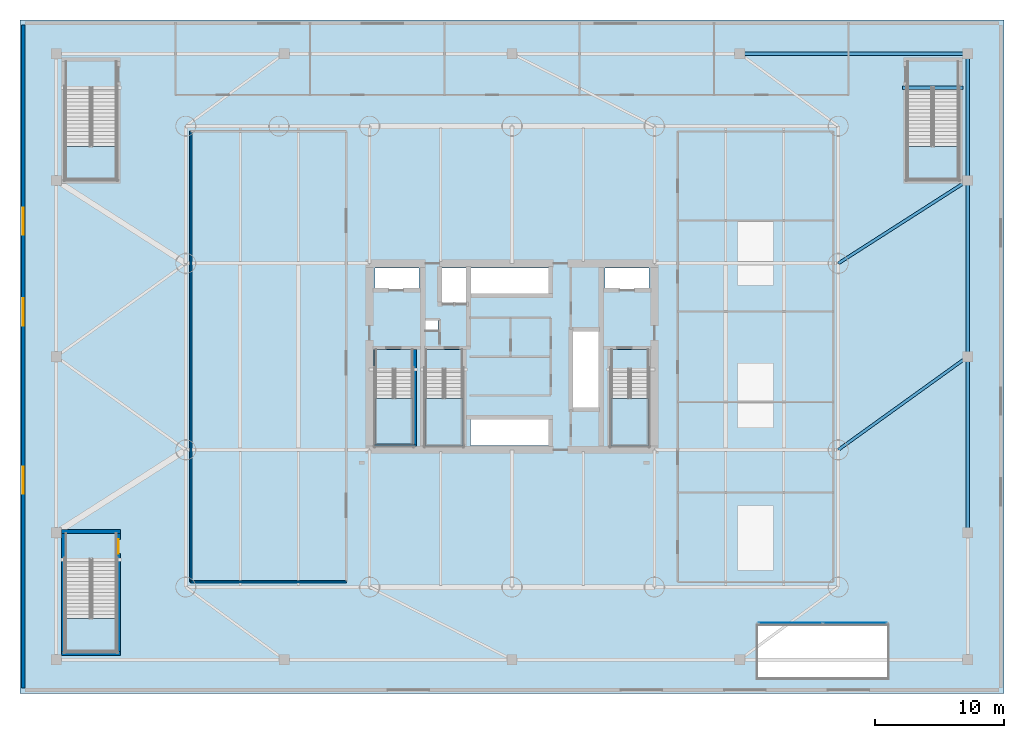
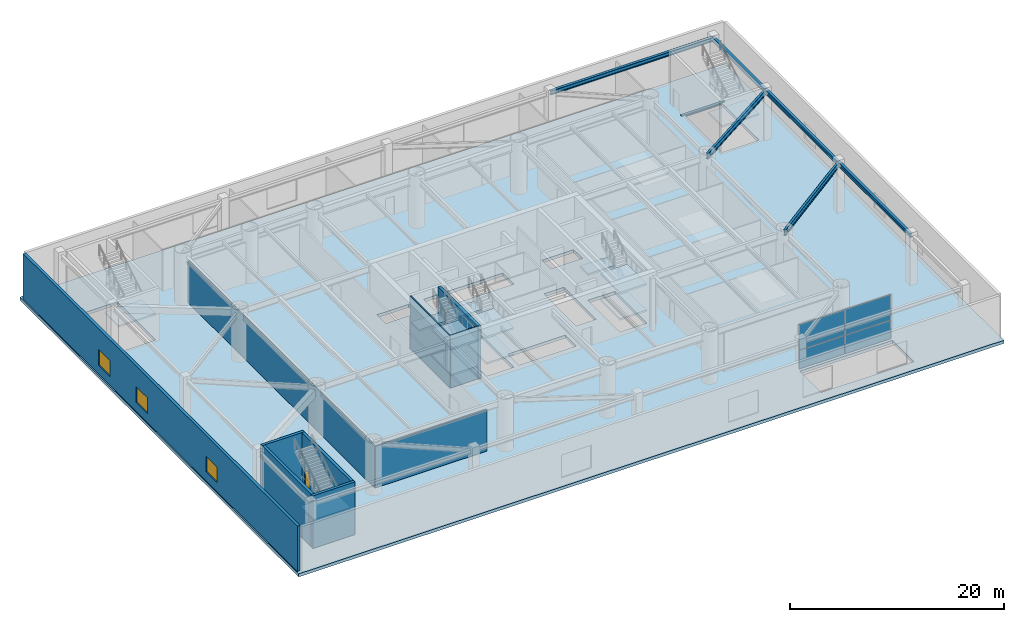
# One storey, part 5 of 17: 13 slabs, 10 walls, 7 beams, 4 plates, 3 windows, 1 door, 4 openings, 7 elements without a shape of their own.
"""IFC4 building model written with IfcOpenShell, lengths in metres."""

from ifc_helpers import new_model, si_unit, direction, frame, frame_2d, origin, origin_2d, place, context, subcontext, project, spatial, polyline, rectangle, i_section, outline, extrude, material, layer, layer_set, material_profile, profile_set, type_object, element, fill, aggregate, save


model = new_model("IFC4")

# Units and contexts
model_context = context("Model", 3, precision=1e-05, world=origin(), true_north=direction((0.0, 1.0)))
body_context = subcontext(model_context, "Body", "Model", "MODEL_VIEW")
ifc_project = project(units=[si_unit("LENGTHUNIT", "METRE"), si_unit("AREAUNIT", "SQUARE_METRE"), si_unit("VOLUMEUNIT", "CUBIC_METRE"), si_unit("PLANEANGLEUNIT", "RADIAN"), si_unit("MASSUNIT", "GRAM", prefix="KILO")], contexts=[model_context])

# Site, building, storey
site_placement = place(None, origin())
site = spatial("IfcSite", under=ifc_project, at=site_placement, CompositionType="ELEMENT")
building_placement = place(site_placement, origin())
building = spatial("IfcBuilding", under=site, at=building_placement, Name="Bramvorn Convention Spire", CompositionType="ELEMENT")
storey_placement = place(building_placement, frame((0.0, 0.0, 24.0)))
storey = spatial("IfcBuildingStorey", under=building, at=storey_placement, Name="L04", CompositionType="ELEMENT", Elevation=24.0)

# Beams
ifc_material_1 = material(Name="Steel CSA G40.21 Grade 350 (350W)", Category="steel")
ifc_material_profile_1 = material_profile(ifc_material_1, i_section(OverallWidth=0.25390625, OverallDepth=0.2529296875, WebThickness=0.008544921875, FlangeThickness=0.01416015625, FilletRadius=0.011962890625, at=origin_2d()))
ifc_profile_set_1 = profile_set([ifc_material_profile_1], Name="Steel CSA G40.21 Grade 350 (350W) - W250X73")
beam_type_1 = type_object("IfcBeamType", Name="BM-W250X73", PredefinedType="BEAM", material=ifc_profile_set_1)
beam_1_placement = place(storey_placement, frame((68.169921875, 46.760009765625, -0.12646484375), z_axis=(1.0, 0.0, 0.0), x_axis=(0.0, 1.0, 0.0)))
element("IfcBeam", 1, at=beam_1_placement, inside=storey, type_object=beam_type_1, Name="L04 ST5 stair arrival header beam", PredefinedType="BEAM", context=body_context, shape_type="SweptSolid", body=[
    extrude(i_section(OverallWidth=0.25390625, OverallDepth=0.2529296875, WebThickness=0.008544921875, FlangeThickness=0.01416015625, FilletRadius=0.011962890625, at=origin_2d()), origin(), (0.0, 0.0, 1.0), 4.68017578125),
])
ifc_material_profile_2 = material_profile(ifc_material_1, i_section(OverallWidth=0.283935546875, OverallDepth=0.47607421875, WebThickness=0.014892578125, FlangeThickness=0.02392578125, FilletRadius=0.01806640625, at=origin_2d()))
ifc_profile_set_2 = profile_set([ifc_material_profile_2], Name="Steel CSA G40.21 Grade 350 (350W) - W460X158")
beam_type_2 = type_object("IfcBeamType", Name="BM-W460X158", PredefinedType="SPANDREL", material=ifc_profile_set_2)
for number, where, z_axis, x_axis, name in (
    (2, (73.199951171875, 12.39990234375, 5.412109375), (0.0, 1.0, 0.0), (-1.0, 0.0, 0.0), "L04 podium spandrel beam 06"),
    (3, (73.199951171875, 26.0, 5.412109375), (0.0, 1.0, 0.0), (-1.0, 0.0, 0.0), "L04 podium spandrel beam 07"),
):
    element("IfcBeam", number, at=place(storey_placement, frame(where, z_axis=z_axis, x_axis=x_axis)), inside=storey, type_object=beam_type_2, Name=name, PredefinedType="SPANDREL", context=body_context, shape_type="SweptSolid", body=[
        extrude(i_section(OverallWidth=0.283935546875, OverallDepth=0.47607421875, WebThickness=0.014892578125, FlangeThickness=0.02392578125, FilletRadius=0.01806640625, at=origin_2d()), origin(), (0.0, 0.0, 1.0), 13.60009765625),
    ])
beam_2_placement = place(storey_placement, frame((73.199951171875, 39.60009765625, 5.412109375), z_axis=(0.0, 1.0, 0.0), x_axis=(-1.0, 0.0, 0.0)))
element("IfcBeam", 4, at=beam_2_placement, inside=storey, type_object=beam_type_2, Name="L04 podium spandrel beam 08", PredefinedType="SPANDREL", context=body_context, shape_type="SweptSolid", body=[
    extrude(i_section(OverallWidth=0.283935546875, OverallDepth=0.47607421875, WebThickness=0.014892578125, FlangeThickness=0.02392578125, FilletRadius=0.01806640625, at=origin_2d()), origin(), (0.0, 0.0, 1.0), 9.7998046875),
])
beam_3_placement = place(storey_placement, frame((73.199951171875, 49.39990234375, 5.412109375), z_axis=(-1.0, 0.0, 0.0), x_axis=(0.0, -1.0, 0.0)))
element("IfcBeam", 5, at=beam_3_placement, inside=storey, type_object=beam_type_2, Name="L04 podium spandrel beam 09", PredefinedType="SPANDREL", context=body_context, shape_type="SweptSolid", body=[
    extrude(i_section(OverallWidth=0.283935546875, OverallDepth=0.47607421875, WebThickness=0.014892578125, FlangeThickness=0.02392578125, FilletRadius=0.01806640625, at=origin_2d()), origin(), (0.0, 0.0, 1.0), 17.599853515625),
])
ifc_material_profile_3 = material_profile(ifc_material_1, i_section(OverallWidth=0.22998046875, OverallDepth=0.616943359375, WebThickness=0.01318359375, FlangeThickness=0.022216796875, FilletRadius=0.02001953125, at=origin_2d()))
ifc_profile_set_3 = profile_set([ifc_material_profile_3], Name="Steel CSA G40.21 Grade 350 (350W) - W610X140")
beam_type_3 = type_object("IfcBeamType", Name="BM-W610X140", PredefinedType="BEAM", material=ifc_profile_set_3)
beam_4_placement = place(storey_placement, frame((63.199951171875, 18.800048828125, 5.341552734375), z_axis=(0.811536220436, 0.584302116135, 0.0), x_axis=(-0.584302116135, 0.811536220436, 0.0)))
element("IfcBeam", 6, at=beam_4_placement, inside=storey, type_object=beam_type_3, Name="L04 podium east bay girder 1", PredefinedType="BEAM", context=body_context, shape_type="SweptSolid", body=[
    extrude(i_section(OverallWidth=0.22998046875, OverallDepth=0.616943359375, WebThickness=0.01318359375, FlangeThickness=0.022216796875, FilletRadius=0.02001953125, at=origin_2d()), origin(), (0.0, 0.0, 1.0), 12.322265625),
])
beam_5_placement = place(storey_placement, frame((63.199951171875, 33.199951171875, 5.341552734375), z_axis=(0.842265798855, 0.539062449145, 0.0), x_axis=(-0.539062449145, 0.842265798855, 0.0)))
element("IfcBeam", 7, at=beam_5_placement, inside=storey, type_object=beam_type_3, Name="L04 podium east bay girder 2", PredefinedType="BEAM", context=body_context, shape_type="SweptSolid", body=[
    extrude(i_section(OverallWidth=0.22998046875, OverallDepth=0.616943359375, WebThickness=0.01318359375, FlangeThickness=0.022216796875, FilletRadius=0.02001953125, at=origin_2d()), origin(), (0.0, 0.0, 1.0), 11.872802734375),
])

# Curtain wall, plates
ifc_material_2 = material(Name="Anodised Bronze Unitised Curtain Wall", Category="aluminium")
ifc_layer_1 = layer(ifc_material_2, 0.219970703125)
ifc_layer_set_1 = layer_set([ifc_layer_1], Name="Anodised Bronze Unitised Curtain Wall - CW-POD-LANCET")
curtain_wall_type = type_object("IfcCurtainWallType", Name="CW-POD-LANCET", PredefinedType="USERDEFINED", material=ifc_layer_set_1)
curtain_wall_placement = place(storey_placement, origin())
curtain_wall = element("IfcCurtainWall", 8, at=curtain_wall_placement, inside=storey, type_object=curtain_wall_type, Name="L04 SE colonnade lancet curtain wall", ObjectType="UNITISED CURTAIN WALL", PredefinedType="USERDEFINED")
ifc_material_3 = material(Name="Laminated Low-E Glass (Acoustic Laminated Podium Triple IGU)", Category="glass")
ifc_layer_2 = layer(ifc_material_3, 0.0458984375)
ifc_layer_set_2 = layer_set([ifc_layer_2], Name="Laminated Low-E Glass (Acoustic Laminated Podium Triple IGU) - PNL-IGU-5")
plate_type = type_object("IfcPlateType", Name="PNL-IGU-5", PredefinedType="CURTAIN_PANEL", material=ifc_layer_set_2)
plate_1_placement = place(storey_placement, frame((59.514892578125, 5.449951171875, 0.06005859375), z_axis=(0.0, 0.0, 1.0), x_axis=(1.0, 0.0, 0.0)))
plate_1 = element("IfcPlate", 9, at=plate_1_placement, type_object=plate_type, Name="CW1 panel 1.1", PredefinedType="CURTAIN_PANEL", context=body_context, shape_type="SweptSolid", body=[
    extrude(rectangle(XDim=4.909912109375, YDim=0.028076171875, at=origin_2d()), origin(), (0.0, 0.0, 1.0), 2.110107421875),
])
plate_2_placement = place(storey_placement, frame((59.514892578125, 5.449951171875, 2.22998046875), z_axis=(0.0, 0.0, 1.0), x_axis=(1.0, 0.0, 0.0)))
plate_2 = element("IfcPlate", 10, at=plate_2_placement, type_object=plate_type, Name="CW1 panel 1.2", PredefinedType="CURTAIN_PANEL", context=body_context, shape_type="SweptSolid", body=[
    extrude(rectangle(XDim=4.909912109375, YDim=0.028076171875, at=origin_2d()), origin(), (0.0, 0.0, 1.0), 2.8701171875),
])
plate_3_placement = place(storey_placement, frame((64.485107421875, 5.449951171875, 0.06005859375), z_axis=(0.0, 0.0, 1.0), x_axis=(1.0, 0.0, 0.0)))
plate_3 = element("IfcPlate", 11, at=plate_3_placement, type_object=plate_type, Name="CW1 panel 2.1", PredefinedType="CURTAIN_PANEL", context=body_context, shape_type="SweptSolid", body=[
    extrude(rectangle(XDim=4.909912109375, YDim=0.028076171875, at=origin_2d()), origin(), (0.0, 0.0, 1.0), 2.110107421875),
])
plate_4_placement = place(storey_placement, frame((64.485107421875, 5.449951171875, 2.22998046875), z_axis=(0.0, 0.0, 1.0), x_axis=(1.0, 0.0, 0.0)))
plate_4 = element("IfcPlate", 12, at=plate_4_placement, type_object=plate_type, Name="CW1 panel 2.2", PredefinedType="CURTAIN_PANEL", context=body_context, shape_type="SweptSolid", body=[
    extrude(rectangle(XDim=4.909912109375, YDim=0.028076171875, at=origin_2d()), origin(), (0.0, 0.0, 1.0), 2.8701171875),
])
aggregate(curtain_wall, [plate_1, plate_2, plate_3, plate_4])

# Slab
ifc_material_4 = material(Name="Concrete C50/60", Category="concrete")
ifc_layer_3 = layer(ifc_material_4, 0.35009765625)
ifc_layer_set_3 = layer_set([ifc_layer_3], Name="Concrete C50/60 - SLB-POD-350")
slab_type_1 = type_object("IfcSlabType", Name="SLB-POD-350", PredefinedType="FLOOR", material=ifc_layer_set_3)
slab_1_placement = place(storey_placement, frame((0.0, 0.0, -0.35009765625)))
element("IfcSlab", 13, at=slab_1_placement, inside=storey, type_object=slab_type_1, Name="L04 podium composite floor slab", PredefinedType="FLOOR", context=body_context, shape_type="SweptSolid", body=[
    extrude(outline(polyline([(0.0, 0.0), (76.0, 0.0), (76.0, 52.0), (0.0, 52.0), (0.0, 0.0)]), holes=[polyline([(27.449951171875, 25.050048828125), (27.449951171875, 19.10009765625), (30.35009765625, 19.10009765625), (30.35009765625, 25.050048828125), (27.449951171875, 25.050048828125)]), polyline([(45.64990234375, 25.050048828125), (45.64990234375, 19.10009765625), (48.550048828125, 19.10009765625), (48.550048828125, 25.050048828125), (45.64990234375, 25.050048828125)]), polyline([(31.300048828125, 25.050048828125), (31.300048828125, 19.10009765625), (34.199951171875, 19.10009765625), (34.199951171875, 25.050048828125), (31.300048828125, 25.050048828125)]), polyline([(3.5, 10.35009765625), (3.5, 3.199951171875), (7.47998046875, 3.199951171875), (7.47998046875, 10.35009765625), (3.5, 10.35009765625)]), polyline([(68.52001953125, 46.800048828125), (68.52001953125, 39.64990234375), (72.5, 39.64990234375), (72.5, 46.800048828125), (68.52001953125, 46.800048828125)]), polyline([(3.5, 46.800048828125), (3.5, 39.64990234375), (7.47998046875, 39.64990234375), (7.47998046875, 46.800048828125), (3.5, 46.800048828125)]), polyline([(27.39990234375, 31.219970703125), (30.800048828125, 31.219970703125), (30.800048828125, 32.85009765625), (27.39990234375, 32.85009765625), (27.39990234375, 31.219970703125)]), polyline([(45.199951171875, 31.219970703125), (48.60009765625, 31.219970703125), (48.60009765625, 32.85009765625), (45.199951171875, 32.85009765625), (45.199951171875, 31.219970703125)]), polyline([(32.449951171875, 30.14990234375), (34.56005859375, 30.14990234375), (34.56005859375, 32.85009765625), (32.449951171875, 32.85009765625), (32.449951171875, 30.14990234375)]), polyline([(34.800048828125, 30.800048828125), (40.97998046875, 30.800048828125), (40.97998046875, 32.85009765625), (34.800048828125, 32.85009765625), (34.800048828125, 30.800048828125)]), polyline([(34.800048828125, 19.14990234375), (40.97998046875, 19.14990234375), (40.97998046875, 21.199951171875), (34.800048828125, 21.199951171875), (34.800048828125, 19.14990234375)]), polyline([(42.6201171875, 22.0), (44.75, 22.0), (44.75, 28.0), (42.6201171875, 28.0), (42.6201171875, 22.0)]), polyline([(31.320068359375, 28.02001953125), (32.280029296875, 28.02001953125), (32.280029296875, 28.820068359375), (31.320068359375, 28.820068359375), (31.320068359375, 28.02001953125)]), polyline([(57.0, 1.199951171875), (67.0, 1.199951171875), (67.0, 5.199951171875), (57.0, 5.199951171875), (57.0, 1.199951171875)])]), origin(), (0.0, 0.0, 1.0), 0.35009765625),
])

# Stair, slabs
ifc_material_5 = material(Name="Concrete C40/50 Precast Stair", Category="concrete")
stair_type_1 = type_object("IfcStairType", Name="ST-TOWER-1550", PredefinedType="HALF_TURN_STAIR", material=ifc_material_5)
stair_1_placement = place(storey_placement, origin())
stair_1 = element("IfcStair", 14, at=stair_1_placement, inside=storey, type_object=stair_type_1, Name="L04 Protected Exit Stair ST1", PredefinedType="HALF_TURN_STAIR")
ifc_material_6 = material(Name="Concrete C40/50 Stair Landing", Category="concrete")
ifc_layer_4 = layer(ifc_material_6, 0.219970703125)
ifc_layer_set_4 = layer_set([ifc_layer_4], Name="Concrete C40/50 Stair Landing - SLB-STAIR-LANDING")
slab_type_2 = type_object("IfcSlabType", Name="SLB-STAIR-LANDING", PredefinedType="LANDING", material=ifc_layer_set_4)
slab_2_placement = place(storey_placement, frame((0.0, 0.0, 1.300048828125)))
slab_2 = element("IfcSlab", 15, at=slab_2_placement, type_object=slab_type_2, Name="ST1 landing 1", PredefinedType="LANDING", context=body_context, shape_type="SweptSolid", body=[
    extrude(outline(polyline([(27.449951171875, 22.77001953125), (27.449951171875, 19.10009765625), (30.35009765625, 19.10009765625), (30.35009765625, 22.77001953125), (27.449951171875, 22.77001953125)])), origin(), (0.0, 0.0, 1.0), 0.199951171875),
])
slab_3_placement = place(storey_placement, frame((0.0, 0.0, 2.800048828125)))
slab_3 = element("IfcSlab", 16, at=slab_3_placement, type_object=slab_type_2, Name="ST1 landing 2", PredefinedType="LANDING", context=body_context, shape_type="SweptSolid", body=[
    extrude(outline(polyline([(27.449951171875, 26.550048828125), (27.449951171875, 25.050048828125), (30.35009765625, 25.050048828125), (30.35009765625, 26.550048828125), (27.449951171875, 26.550048828125)])), origin(), (0.0, 0.0, 1.0), 0.199951171875),
])
slab_4_placement = place(storey_placement, frame((0.0, 0.0, 4.300048828125)))
slab_4 = element("IfcSlab", 17, at=slab_4_placement, type_object=slab_type_2, Name="ST1 landing 3", PredefinedType="LANDING", context=body_context, shape_type="SweptSolid", body=[
    extrude(outline(polyline([(27.449951171875, 22.77001953125), (27.449951171875, 19.10009765625), (30.35009765625, 19.10009765625), (30.35009765625, 22.77001953125), (27.449951171875, 22.77001953125)])), origin(), (0.0, 0.0, 1.0), 0.199951171875),
])
aggregate(stair_1, [slab_2, slab_3, slab_4])

stair_2_placement = place(storey_placement, origin())
stair_2 = element("IfcStair", 18, at=stair_2_placement, inside=storey, type_object=stair_type_1, Name="L04 Protected Exit Stair ST2", PredefinedType="HALF_TURN_STAIR")
slab_5_placement = place(storey_placement, frame((0.0, 0.0, 1.300048828125)))
slab_5 = element("IfcSlab", 19, at=slab_5_placement, type_object=slab_type_2, Name="ST2 landing 1", PredefinedType="LANDING", context=body_context, shape_type="SweptSolid", body=[
    extrude(outline(polyline([(45.64990234375, 22.77001953125), (45.64990234375, 19.10009765625), (48.550048828125, 19.10009765625), (48.550048828125, 22.77001953125), (45.64990234375, 22.77001953125)])), origin(), (0.0, 0.0, 1.0), 0.199951171875),
])
slab_6_placement = place(storey_placement, frame((0.0, 0.0, 2.800048828125)))
slab_6 = element("IfcSlab", 20, at=slab_6_placement, type_object=slab_type_2, Name="ST2 landing 2", PredefinedType="LANDING", context=body_context, shape_type="SweptSolid", body=[
    extrude(outline(polyline([(45.64990234375, 26.550048828125), (45.64990234375, 25.050048828125), (48.550048828125, 25.050048828125), (48.550048828125, 26.550048828125), (45.64990234375, 26.550048828125)])), origin(), (0.0, 0.0, 1.0), 0.199951171875),
])
slab_7_placement = place(storey_placement, frame((0.0, 0.0, 4.300048828125)))
slab_7 = element("IfcSlab", 21, at=slab_7_placement, type_object=slab_type_2, Name="ST2 landing 3", PredefinedType="LANDING", context=body_context, shape_type="SweptSolid", body=[
    extrude(outline(polyline([(45.64990234375, 22.77001953125), (45.64990234375, 19.10009765625), (48.550048828125, 19.10009765625), (48.550048828125, 22.77001953125), (45.64990234375, 22.77001953125)])), origin(), (0.0, 0.0, 1.0), 0.199951171875),
])
aggregate(stair_2, [slab_5, slab_6, slab_7])

stair_3_placement = place(storey_placement, origin())
stair_3 = element("IfcStair", 22, at=stair_3_placement, inside=storey, type_object=stair_type_1, Name="L04 Protected Exit Stair ST3", PredefinedType="HALF_TURN_STAIR")
slab_8_placement = place(storey_placement, frame((0.0, 0.0, 1.300048828125)))
slab_8 = element("IfcSlab", 23, at=slab_8_placement, type_object=slab_type_2, Name="ST3 landing 1", PredefinedType="LANDING", context=body_context, shape_type="SweptSolid", body=[
    extrude(outline(polyline([(31.300048828125, 22.77001953125), (31.300048828125, 19.10009765625), (34.199951171875, 19.10009765625), (34.199951171875, 22.77001953125), (31.300048828125, 22.77001953125)])), origin(), (0.0, 0.0, 1.0), 0.199951171875),
])
slab_9_placement = place(storey_placement, frame((0.0, 0.0, 2.800048828125)))
slab_9 = element("IfcSlab", 24, at=slab_9_placement, type_object=slab_type_2, Name="ST3 landing 2", PredefinedType="LANDING", context=body_context, shape_type="SweptSolid", body=[
    extrude(outline(polyline([(31.300048828125, 26.550048828125), (31.300048828125, 25.050048828125), (34.199951171875, 25.050048828125), (34.199951171875, 26.550048828125), (31.300048828125, 26.550048828125)])), origin(), (0.0, 0.0, 1.0), 0.199951171875),
])
slab_10_placement = place(storey_placement, frame((0.0, 0.0, 4.300048828125)))
slab_10 = element("IfcSlab", 25, at=slab_10_placement, type_object=slab_type_2, Name="ST3 landing 3", PredefinedType="LANDING", context=body_context, shape_type="SweptSolid", body=[
    extrude(outline(polyline([(31.300048828125, 22.77001953125), (31.300048828125, 19.10009765625), (34.199951171875, 19.10009765625), (34.199951171875, 22.77001953125), (31.300048828125, 22.77001953125)])), origin(), (0.0, 0.0, 1.0), 0.199951171875),
])
aggregate(stair_3, [slab_8, slab_9, slab_10])

# Stair, slab
ifc_material_7 = material(Name="Concrete C40/50 Grand Exit Stair", Category="concrete")
stair_type_2 = type_object("IfcStairType", Name="ST-PODIUM-1950", PredefinedType="HALF_TURN_STAIR", material=ifc_material_7)
stair_4_placement = place(storey_placement, origin())
stair_4 = element("IfcStair", 26, at=stair_4_placement, inside=storey, type_object=stair_type_2, Name="L04 Protected Exit Stair ST4", PredefinedType="HALF_TURN_STAIR")
slab_11_placement = place(storey_placement, frame((0.0, 0.0, 2.800048828125)))
slab_11 = element("IfcSlab", 27, at=slab_11_placement, type_object=slab_type_2, Name="ST4 landing 1", PredefinedType="LANDING", context=body_context, shape_type="SweptSolid", body=[
    extrude(outline(polyline([(3.5, 5.7900390625), (3.5, 3.199951171875), (7.47998046875, 3.199951171875), (7.47998046875, 5.7900390625), (3.5, 5.7900390625)])), origin(), (0.0, 0.0, 1.0), 0.199951171875),
])
aggregate(stair_4, [slab_11])

stair_5_placement = place(storey_placement, origin())
stair_5 = element("IfcStair", 28, at=stair_5_placement, inside=storey, type_object=stair_type_2, Name="L04 Protected Exit Stair ST5", PredefinedType="HALF_TURN_STAIR")
slab_12_placement = place(storey_placement, frame((0.0, 0.0, 2.800048828125)))
slab_12 = element("IfcSlab", 29, at=slab_12_placement, type_object=slab_type_2, Name="ST5 landing 1", PredefinedType="LANDING", context=body_context, shape_type="SweptSolid", body=[
    extrude(outline(polyline([(68.52001953125, 42.239990234375), (68.52001953125, 39.64990234375), (72.5, 39.64990234375), (72.5, 42.239990234375), (68.52001953125, 42.239990234375)])), origin(), (0.0, 0.0, 1.0), 0.199951171875),
])
aggregate(stair_5, [slab_12])

stair_6_placement = place(storey_placement, origin())
stair_6 = element("IfcStair", 30, at=stair_6_placement, inside=storey, type_object=stair_type_2, Name="L04 Protected Exit Stair ST6", PredefinedType="HALF_TURN_STAIR")
slab_13_placement = place(storey_placement, frame((0.0, 0.0, 2.800048828125)))
slab_13 = element("IfcSlab", 31, at=slab_13_placement, type_object=slab_type_2, Name="ST6 landing 1", PredefinedType="LANDING", context=body_context, shape_type="SweptSolid", body=[
    extrude(outline(polyline([(3.5, 42.239990234375), (3.5, 39.64990234375), (7.47998046875, 39.64990234375), (7.47998046875, 42.239990234375), (3.5, 42.239990234375)])), origin(), (0.0, 0.0, 1.0), 0.199951171875),
])
aggregate(stair_6, [slab_13])

# Wall, openings, windows
ifc_material_8 = material(Name="Precast Concrete C40/50 with Bronze Terracotta Rainscreen", Category="masonry")
ifc_layer_5 = layer(ifc_material_8, 0.300048828125)
ifc_layer_set_5 = layer_set([ifc_layer_5], Name="Precast Concrete C40/50 with Bronze Terracotta Rainscreen - WL-EXT-BRONZE-300")
wall_type_1 = type_object("IfcWallType", Name="WL-EXT-BRONZE-300", PredefinedType="SOLIDWALL", material=ifc_layer_set_5)
wall_1_placement = place(storey_placement, frame((0.25, 0.39990234375, 0.0), z_axis=(0.0, 0.0, 1.0), x_axis=(0.0, 1.0, 0.0)))
wall_1 = element("IfcWall", 32, at=wall_1_placement, inside=storey, type_object=wall_type_1, Name="L04 West podium bronze facade wall", PredefinedType="SOLIDWALL", context=body_context, shape_type="SweptSolid", body=[
    extrude(rectangle(XDim=51.2001953125, YDim=0.300048828125, at=frame_2d((25.60009765625, 0.0))), origin(), (0.0, 0.0, 1.0), 5.159912109375),
])
opening_1_placement = place(wall_1_placement, frame((15.0, 0.0, 1.0)))
opening_1 = element("IfcOpeningElement", 33, at=opening_1_placement, cuts=wall_1, Name="Opening WN04", PredefinedType="OPENING", context=body_context, shape_type="SweptSolid", body=[
    extrude(rectangle(XDim=2.10009765625, YDim=1.800048828125, at=frame_2d((1.050048828125, 0.89990234375))), frame((0.0, 0.159912109375, 0.0), z_axis=(0.0, -1.0, 0.0), x_axis=(1.0, 0.0, 0.0)), (0.0, 0.0, 1.0), 0.320068359375),
])
opening_2_placement = place(wall_1_placement, frame((28.0, 0.0, 1.0)))
opening_2 = element("IfcOpeningElement", 34, at=opening_2_placement, cuts=wall_1, Name="Opening WN04", PredefinedType="OPENING", context=body_context, shape_type="SweptSolid", body=[
    extrude(rectangle(XDim=2.10009765625, YDim=1.800048828125, at=frame_2d((1.050048828125, 0.89990234375))), frame((0.0, 0.159912109375, 0.0), z_axis=(0.0, -1.0, 0.0), x_axis=(1.0, 0.0, 0.0)), (0.0, 0.0, 1.0), 0.320068359375),
])
opening_3_placement = place(wall_1_placement, frame((35.0, 0.0, 1.0)))
opening_3 = element("IfcOpeningElement", 35, at=opening_3_placement, cuts=wall_1, Name="Opening WN04", PredefinedType="OPENING", context=body_context, shape_type="SweptSolid", body=[
    extrude(rectangle(XDim=2.10009765625, YDim=1.800048828125, at=frame_2d((1.050048828125, 0.89990234375))), frame((0.0, 0.159912109375, 0.0), z_axis=(0.0, -1.0, 0.0), x_axis=(1.0, 0.0, 0.0)), (0.0, 0.0, 1.0), 0.320068359375),
])
ifc_material_9 = material(Name="Thermally Broken Bronze Aluminium & Triple Low-E Glass", Category="aluminium")
window_type = type_object("IfcWindowType", Name="WN-OP-2100X1800", PartitioningType="SINGLE_PANEL", PredefinedType="WINDOW", material=ifc_material_9)
window_1_placement = place(opening_1_placement, origin())
window_1 = element("IfcWindow", 36, at=window_1_placement, inside=storey, type_object=window_type, Name="L04 West operable window 1", OverallHeight=1.800048828125, OverallWidth=2.10009765625, PartitioningType="SINGLE_PANEL", PredefinedType="WINDOW", context=body_context, shape_type="SweptSolid", body=[
    extrude(rectangle(XDim=2.10009765625, YDim=1.800048828125, at=frame_2d((1.050048828125, 0.89990234375))), frame((0.0, 0.030029296875, 0.0), z_axis=(0.0, -1.0, 0.0), x_axis=(1.0, 0.0, 0.0)), (0.0, 0.0, 1.0), 0.06005859375),
])
fill(opening_1, window_1)
window_2_placement = place(opening_2_placement, origin())
window_2 = element("IfcWindow", 37, at=window_2_placement, inside=storey, type_object=window_type, Name="L04 West operable window 2", OverallHeight=1.800048828125, OverallWidth=2.10009765625, PartitioningType="SINGLE_PANEL", PredefinedType="WINDOW", context=body_context, shape_type="SweptSolid", body=[
    extrude(rectangle(XDim=2.10009765625, YDim=1.800048828125, at=frame_2d((1.050048828125, 0.89990234375))), frame((0.0, 0.030029296875, 0.0), z_axis=(0.0, -1.0, 0.0), x_axis=(1.0, 0.0, 0.0)), (0.0, 0.0, 1.0), 0.06005859375),
])
fill(opening_2, window_2)
window_3_placement = place(opening_3_placement, origin())
window_3 = element("IfcWindow", 38, at=window_3_placement, inside=storey, type_object=window_type, Name="L04 West operable window 3", OverallHeight=1.800048828125, OverallWidth=2.10009765625, PartitioningType="SINGLE_PANEL", PredefinedType="WINDOW", context=body_context, shape_type="SweptSolid", body=[
    extrude(rectangle(XDim=2.10009765625, YDim=1.800048828125, at=frame_2d((1.050048828125, 0.89990234375))), frame((0.0, 0.030029296875, 0.0), z_axis=(0.0, -1.0, 0.0), x_axis=(1.0, 0.0, 0.0)), (0.0, 0.0, 1.0), 0.06005859375),
])
fill(opening_3, window_3)

# Walls
ifc_material_10 = material(Name="Acoustic Metal-Stud Tenant/Corridor Partition", Category="gypsum")
ifc_layer_6 = layer(ifc_material_10, 0.14990234375)
ifc_layer_set_6 = layer_set([ifc_layer_6], Name="Acoustic Metal-Stud Tenant/Corridor Partition - WL-PART-150")
wall_type_2 = type_object("IfcWallType", Name="WL-PART-150", PredefinedType="PARTITIONING", material=ifc_layer_set_6)
wall_2_placement = place(storey_placement, frame((13.199951171875, 8.60009765625, 0.0), z_axis=(0.0, 0.0, 1.0), x_axis=(1.0, 0.0, 0.0)))
element("IfcWall", 39, at=wall_2_placement, inside=storey, type_object=wall_type_2, Name="L04 Ballroom south wall", PredefinedType="PARTITIONING", context=body_context, shape_type="SweptSolid", body=[
    extrude(rectangle(XDim=12.0, YDim=0.14990234375, at=frame_2d((6.0, 0.0))), origin(), (0.0, 0.0, 1.0), 4.7099609375),
])
wall_3_placement = place(storey_placement, frame((13.199951171875, 8.60009765625, 0.0), z_axis=(0.0, 0.0, 1.0), x_axis=(0.0, 1.0, 0.0)))
element("IfcWall", 40, at=wall_3_placement, inside=storey, type_object=wall_type_2, Name="L04 Ballroom west wall", PredefinedType="PARTITIONING", context=body_context, shape_type="SweptSolid", body=[
    extrude(rectangle(XDim=34.7998046875, YDim=0.14990234375, at=frame_2d((17.39990234375, 0.0))), origin(), (0.0, 0.0, 1.0), 4.7099609375),
])
ifc_layer_7 = layer(ifc_material_4, 0.300048828125)
ifc_layer_set_7 = layer_set([ifc_layer_7], Name="Concrete C50/60 - WL-POD-STAIR-300")
wall_type_3 = type_object("IfcWallType", Name="WL-POD-STAIR-300", PredefinedType="SHEAR", material=ifc_layer_set_7)
wall_4_placement = place(storey_placement, frame((30.489990234375, 19.050048828125, 0.0), z_axis=(0.0, 0.0, 1.0), x_axis=(0.0, 1.0, 0.0)))
element("IfcWall", 41, at=wall_4_placement, inside=storey, type_object=wall_type_3, Name="L04 ST1 east bearing wall", PredefinedType="SHEAR", context=body_context, shape_type="SweptSolid", body=[
    extrude(rectangle(XDim=7.5, YDim=0.300048828125, at=frame_2d((3.75, 0.0))), origin(), (0.0, 0.0, 1.0), 6.0),
])
for number, where, z_axis, x_axis, name in (
    (42, (3.2099609375, 3.06005859375, 0.0), (0.0, 0.0, 1.0), (1.0, 0.0, 0.0), "L04 ST4 south shaft wall"),
    (43, (3.2099609375, 12.489990234375, 0.0), (0.0, 0.0, 1.0), (1.0, 0.0, 0.0), "L04 ST4 north shaft wall"),
):
    element("IfcWall", number, at=place(storey_placement, frame(where, z_axis=z_axis, x_axis=x_axis)), inside=storey, type_object=wall_type_3, Name=name, PredefinedType="SHEAR", context=body_context, shape_type="SweptSolid", body=[
        extrude(rectangle(XDim=4.56005859375, YDim=0.300048828125, at=frame_2d((2.280029296875, 0.0))), origin(), (0.0, 0.0, 1.0), 6.0),
    ])
wall_5_placement = place(storey_placement, frame((3.360107421875, 3.2099609375, 0.0), z_axis=(0.0, 0.0, 1.0), x_axis=(0.0, 1.0, 0.0)))
element("IfcWall", 44, at=wall_5_placement, inside=storey, type_object=wall_type_3, Name="L04 ST4 west shaft wall", PredefinedType="SHEAR", context=body_context, shape_type="SweptSolid", body=[
    extrude(rectangle(XDim=9.130126953125, YDim=0.300048828125, at=frame_2d((4.56494140625, 0.0))), origin(), (0.0, 0.0, 1.0), 6.0),
])

# Wall, opening, door
wall_6_placement = place(storey_placement, frame((7.6201171875, 12.340087890625, 0.0), z_axis=(0.0, 0.0, 1.0), x_axis=(0.0, -1.0, 0.0)))
wall_6 = element("IfcWall", 45, at=wall_6_placement, inside=storey, type_object=wall_type_3, Name="L04 ST4 east shaft wall", PredefinedType="SHEAR", context=body_context, shape_type="SweptSolid", body=[
    extrude(rectangle(XDim=9.130126953125, YDim=0.300048828125, at=frame_2d((4.56494140625, 0.0))), origin(), (0.0, 0.0, 1.0), 6.0),
])
opening_4_placement = place(wall_6_placement, frame((0.449951171875, 0.0, 0.0)))
opening_4 = element("IfcOpeningElement", 46, at=opening_4_placement, cuts=wall_6, Name="Opening DS-110", PredefinedType="OPENING", context=body_context, shape_type="SweptSolid", body=[
    extrude(rectangle(XDim=1.10009765625, YDim=2.14990234375, at=frame_2d((0.550048828125, 1.074951171875))), frame((0.0, 0.159912109375, 0.0), z_axis=(0.0, -1.0, 0.0), x_axis=(1.0, 0.0, 0.0)), (0.0, 0.0, 1.0), 0.320068359375),
])
ifc_material_11 = material(Name="Fire-Rated Hollow Steel Stairwell Door", Category="steel")
door_type = type_object("IfcDoorType", Name="DR-STAIR-1100", OperationType="NOTDEFINED", PredefinedType="DOOR", material=ifc_material_11)
door_placement = place(opening_4_placement, origin())
door = element("IfcDoor", 47, at=door_placement, inside=storey, type_object=door_type, Name="L04 ST4 exit stairwell door", OperationType="SINGLE_SWING_LEFT", OverallHeight=2.14990234375, OverallWidth=1.10009765625, PredefinedType="DOOR", context=body_context, shape_type="SweptSolid", body=[
    extrude(rectangle(XDim=1.10009765625, YDim=2.14990234375, at=frame_2d((0.550048828125, 1.074951171875))), frame((0.0, 0.02490234375, 0.0), z_axis=(0.0, -1.0, 0.0), x_axis=(1.0, 0.0, 0.0)), (0.0, 0.0, 1.0), 0.050048828125),
])
fill(opening_4, door)

# Walls
ifc_layer_8 = layer(ifc_material_4, 0.1201171875)
ifc_layer_set_8 = layer_set([ifc_layer_8], Name="Concrete C50/60 - WL-STAIR-RC-120")
wall_type_4 = type_object("IfcWallType", Name="WL-STAIR-RC-120", PredefinedType="SHEAR", material=ifc_layer_set_8)
wall_7_placement = place(storey_placement, frame((27.39501953125, 19.10009765625, 0.0), z_axis=(0.0, 0.0, 1.0), x_axis=(0.0, 1.0, 0.0)))
element("IfcWall", 48, at=wall_7_placement, inside=storey, type_object=wall_type_4, Name="L04 ST1 west bearing shear wall", PredefinedType="SHEAR", context=body_context, shape_type="SweptSolid", body=[
    extrude(rectangle(XDim=7.449951171875, YDim=0.1201171875, at=frame_2d((3.72509765625, 0.0))), origin(), (0.0, 0.0, 1.0), 6.0),
])
wall_8_placement = place(storey_placement, frame((27.39501953125, 19.159912109375, 0.0), z_axis=(0.0, 0.0, 1.0), x_axis=(1.0, 0.0, 0.0)))
element("IfcWall", 49, at=wall_8_placement, inside=storey, type_object=wall_type_4, Name="L04 ST1 south bearing shear wall", PredefinedType="SHEAR", context=body_context, shape_type="SweptSolid", body=[
    extrude(rectangle(XDim=3.094970703125, YDim=0.1201171875, at=frame_2d((1.54736328125, 0.0))), origin(), (0.0, 0.0, 1.0), 6.0),
])

save(model, "model.ifc")
